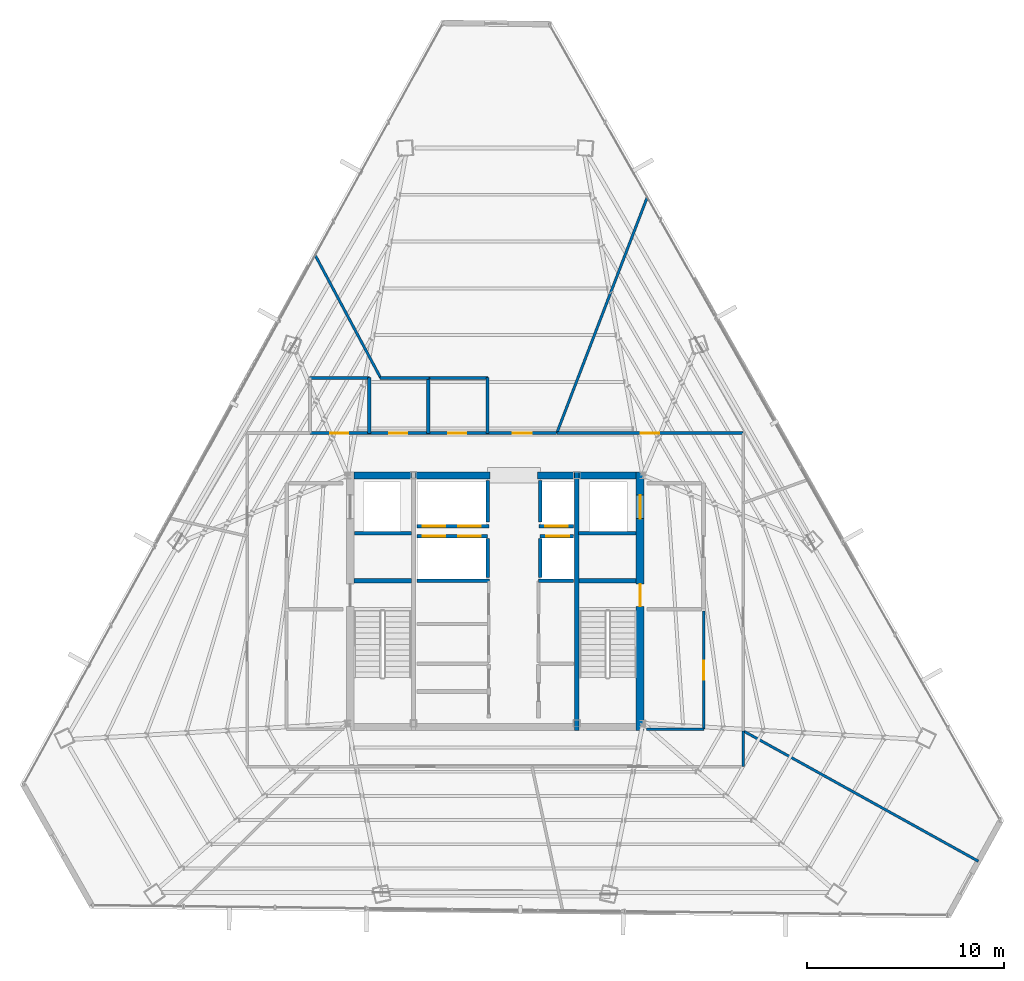
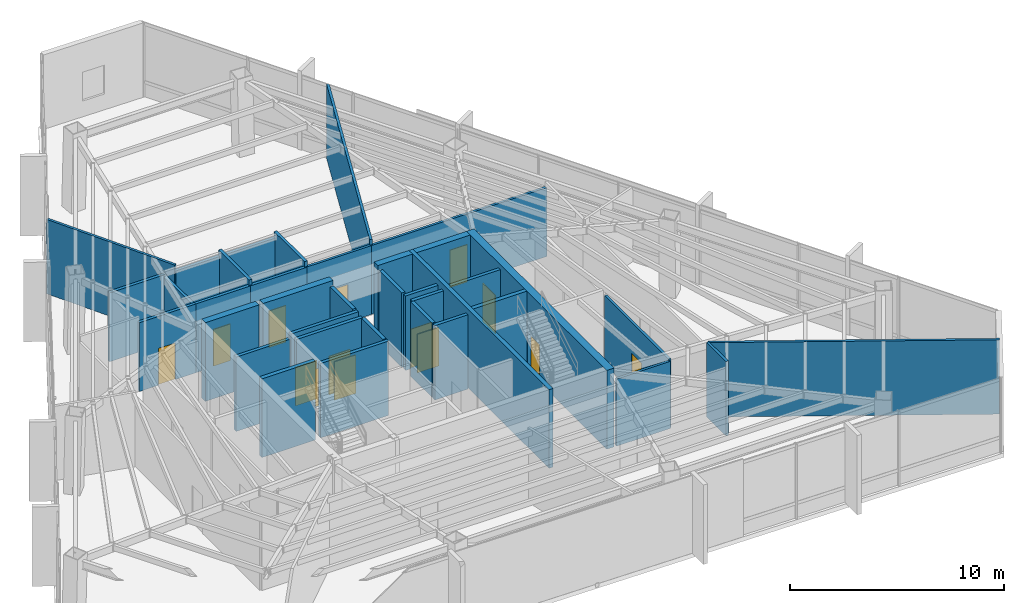
# One storey, part 34 of 37: 37 walls, 14 doors, 14 openings.
"""IFC4 building model written with IfcOpenShell, lengths in metres."""

from ifc_helpers import new_model, si_unit, direction, frame, frame_2d, origin, place, context, subcontext, project, spatial, rectangle, extrude, material, layer, layer_set, type_object, element, fill, save


model = new_model("IFC4")

# Units and contexts
model_context = context("Model", 3, precision=1e-05, world=origin(), true_north=direction((0.0, 1.0)))
body_context = subcontext(model_context, "Body", "Model", "MODEL_VIEW")
ifc_project = project(units=[si_unit("LENGTHUNIT", "METRE"), si_unit("AREAUNIT", "SQUARE_METRE"), si_unit("VOLUMEUNIT", "CUBIC_METRE"), si_unit("PLANEANGLEUNIT", "RADIAN"), si_unit("MASSUNIT", "GRAM", prefix="KILO")], contexts=[model_context])

# Site, building, storey
site_placement = place(None, origin())
site = spatial("IfcSite", under=ifc_project, at=site_placement, CompositionType="ELEMENT")
building_placement = place(site_placement, origin())
building = spatial("IfcBuilding", under=site, at=building_placement, Name="Caelisora Broadcast Tower", CompositionType="ELEMENT")
storey_placement = place(building_placement, frame((0.0, 0.0, 225.35009765625)))
storey = spatial("IfcBuildingStorey", under=building, at=storey_placement, Name="L59", CompositionType="ELEMENT", Elevation=225.35009765625)

# Wall, openings, doors
ifc_material_1 = material(Name="Concrete 40 MPa (AS 3600 N40)", Category="concrete")
ifc_layer_1 = layer(ifc_material_1, 0.39990234375, Name="Concrete 40 MPa (AS 3600 N40)")
ifc_layer_set_1 = layer_set([ifc_layer_1], Name="Concrete 40 MPa (AS 3600 N40)")
wall_type_1 = type_object("IfcWallType", Name="CW3", PredefinedType="SHEAR", material=ifc_layer_set_1)
wall_1_placement = place(storey_placement, frame((45.360107421875, 17.050048828125, 0.0), z_axis=(0.0, 0.0, 1.0), x_axis=(0.0, 1.0, 0.0)))
wall_1 = element("IfcWall", 1, at=wall_1_placement, inside=storey, type_object=wall_type_1, Name="L59 core shear wall CW3", PredefinedType="SHEAR", context=body_context, shape_type="SweptSolid", body=[
    extrude(rectangle(XDim=13.125, YDim=0.39990234375, at=frame_2d((6.5625, 0.0))), origin(), (0.0, 0.0, 1.0), 4.5),
])
opening_1_placement = place(wall_1_placement, frame((6.300048828125, 0.0, 0.0)))
opening_1 = element("IfcOpeningElement", 2, at=opening_1_placement, cuts=wall_1, Name="Opening FD04", PredefinedType="OPENING", context=body_context, shape_type="SweptSolid", body=[
    extrude(rectangle(XDim=1.1201171875, YDim=2.14990234375, at=frame_2d((0.56005859375, 1.074951171875))), frame((0.0, 0.2119140625, 0.0), z_axis=(0.0, -1.0, 0.0), x_axis=(1.0, 0.0, 0.0)), (0.0, 0.0, 1.0), 0.423828125),
])
opening_2_placement = place(wall_1_placement, frame((10.75, 0.0, 0.0)))
opening_2 = element("IfcOpeningElement", 3, at=opening_2_placement, cuts=wall_1, Name="Opening LD04", PredefinedType="OPENING", context=body_context, shape_type="SweptSolid", body=[
    extrude(rectangle(XDim=1.199951171875, YDim=2.199951171875, at=frame_2d((0.60009765625, 1.10009765625))), frame((0.0, 0.2119140625, 0.0), z_axis=(0.0, -1.0, 0.0), x_axis=(1.0, 0.0, 0.0)), (0.0, 0.0, 1.0), 0.423828125),
])
ifc_material_2 = material(Name="Pressurised Fire-Isolated Stair Door", Category="steel")
door_type_1 = type_object("IfcDoorType", Name="FD04", OperationType="NOTDEFINED", PredefinedType="DOOR", material=ifc_material_2)
door_1_placement = place(opening_1_placement, origin())
door_1 = element("IfcDoor", 4, at=door_1_placement, inside=storey, type_object=door_type_1, Name="L59 door FD04 (L59-DR-ST2)", OperationType="SINGLE_SWING_RIGHT", OverallHeight=2.14990234375, OverallWidth=1.1201171875, PredefinedType="DOOR", context=body_context, shape_type="SweptSolid", body=[
    extrude(rectangle(XDim=1.1201171875, YDim=2.14990234375, at=frame_2d((0.56005859375, 1.074951171875))), frame((0.0, 0.02490234375, 0.0), z_axis=(0.0, -1.0, 0.0), x_axis=(1.0, 0.0, 0.0)), (0.0, 0.0, 1.0), 0.050048828125),
])
fill(opening_1, door_1)
ifc_material_3 = material(Name="Emergency Firefighting Lift Sliding Landing Door", Category="steel")
door_type_2 = type_object("IfcDoorType", Name="LD04", OperationType="NOTDEFINED", PredefinedType="DOOR", material=ifc_material_3)
door_2_placement = place(opening_2_placement, origin())
door_2 = element("IfcDoor", 5, at=door_2_placement, inside=storey, type_object=door_type_2, Name="L59 door LD04 (L59-LD-FFL2)", OperationType="SLIDING_TO_RIGHT", OverallHeight=2.199951171875, OverallWidth=1.199951171875, PredefinedType="DOOR", context=body_context, shape_type="SweptSolid", body=[
    extrude(rectangle(XDim=1.199951171875, YDim=2.199951171875, at=frame_2d((0.60009765625, 1.10009765625))), frame((0.0, 0.02490234375, 0.0), z_axis=(0.0, -1.0, 0.0), x_axis=(1.0, 0.0, 0.0)), (0.0, 0.0, 1.0), 0.050048828125),
])
fill(opening_2, door_2)

# Walls
ifc_layer_2 = layer(ifc_material_1, 0.35009765625, Name="Concrete 40 MPa (AS 3600 N40)")
ifc_layer_set_2 = layer_set([ifc_layer_2], Name="Concrete 40 MPa (AS 3600 N40)")
wall_type_2 = type_object("IfcWallType", Name="CW6", PredefinedType="SHEAR", material=ifc_layer_set_2)
wall_2_placement = place(storey_placement, frame((30.840087890625, 30.0, 0.0), z_axis=(0.0, 0.0, 1.0), x_axis=(1.0, 0.0, 0.0)))
element("IfcWall", 6, at=wall_2_placement, inside=storey, type_object=wall_type_2, Name="L59 core shear wall CW6", PredefinedType="SHEAR", context=body_context, shape_type="SweptSolid", body=[
    extrude(rectangle(XDim=2.89990234375, YDim=0.35009765625, at=frame_2d((1.449951171875, 0.0))), origin(), (0.0, 0.0, 1.0), 4.5),
])
wall_3_placement = place(storey_placement, frame((33.9599609375, 30.0, 0.0), z_axis=(0.0, 0.0, 1.0), x_axis=(1.0, 0.0, 0.0)))
element("IfcWall", 7, at=wall_3_placement, inside=storey, type_object=wall_type_2, Name="L59 core shear wall CW6", PredefinedType="SHEAR", context=body_context, shape_type="SweptSolid", body=[
    extrude(rectangle(XDim=3.780029296875, YDim=0.35009765625, at=frame_2d((1.89013671875, 0.0))), origin(), (0.0, 0.0, 1.0), 4.5),
])
wall_4_placement = place(storey_placement, frame((40.159912109375, 30.0, 0.0), z_axis=(0.0, 0.0, 1.0), x_axis=(1.0, 0.0, 0.0)))
element("IfcWall", 8, at=wall_4_placement, inside=storey, type_object=wall_type_2, Name="L59 core shear wall CW6", PredefinedType="SHEAR", context=body_context, shape_type="SweptSolid", body=[
    extrude(rectangle(XDim=1.880126953125, YDim=0.35009765625, at=frame_2d((0.93994140625, 0.0))), origin(), (0.0, 0.0, 1.0), 4.5),
])
wall_5_placement = place(storey_placement, frame((42.260009765625, 30.0, 0.0), z_axis=(0.0, 0.0, 1.0), x_axis=(1.0, 0.0, 0.0)))
element("IfcWall", 9, at=wall_5_placement, inside=storey, type_object=wall_type_2, Name="L59 core shear wall CW6", PredefinedType="SHEAR", context=body_context, shape_type="SweptSolid", body=[
    extrude(rectangle(XDim=2.89990234375, YDim=0.35009765625, at=frame_2d((1.449951171875, 0.0))), origin(), (0.0, 0.0, 1.0), 4.5),
])
ifc_material_4 = material(Name="Concrete 50 MPa (AS 3600 S50)", Category="concrete")
ifc_layer_3 = layer(ifc_material_4, 0.219970703125, Name="Concrete 50 MPa (AS 3600 S50)")
ifc_layer_set_3 = layer_set([ifc_layer_3], Name="Concrete 50 MPa (AS 3600 S50)")
wall_type_3 = type_object("IfcWallType", Name="CW7", PredefinedType="SHEAR", material=ifc_layer_set_3)
wall_6_placement = place(storey_placement, frame((42.14990234375, 17.050048828125, 0.0), z_axis=(0.0, 0.0, 1.0), x_axis=(0.0, 1.0, 0.0)))
element("IfcWall", 10, at=wall_6_placement, inside=storey, type_object=wall_type_3, Name="L59 core shear wall CW7", PredefinedType="SHEAR", context=body_context, shape_type="SweptSolid", body=[
    extrude(rectangle(XDim=13.125, YDim=0.219970703125, at=frame_2d((6.5625, 0.0))), origin(), (0.0, 0.0, 1.0), 4.5),
])
for number, where, z_axis, x_axis, name in (
    (11, (30.840087890625, 24.639892578125, 0.0), (0.0, 0.0, 1.0), (1.0, 0.0, 0.0), "L59 core shear wall CW7"),
    (12, (42.260009765625, 24.639892578125, 0.0), (0.0, 0.0, 1.0), (1.0, 0.0, 0.0), "L59 core shear wall CW7"),
):
    element("IfcWall", number, at=place(storey_placement, frame(where, z_axis=z_axis, x_axis=x_axis)), inside=storey, type_object=wall_type_3, Name=name, PredefinedType="SHEAR", context=body_context, shape_type="SweptSolid", body=[
        extrude(rectangle(XDim=2.89990234375, YDim=0.219970703125, at=frame_2d((1.449951171875, 0.0))), origin(), (0.0, 0.0, 1.0), 4.5),
    ])

# Wall, openings, doors
ifc_material_5 = material(Name="Fire-Rated Gypsum Shaft and Compartment Wall", Category="gypsum")
ifc_layer_4 = layer(ifc_material_5, 0.179931640625, Name="Fire-Rated Gypsum Shaft and Compartment Wall")
ifc_layer_set_4 = layer_set([ifc_layer_4], Name="Fire-Rated Gypsum Shaft and Compartment Wall")
wall_type_4 = type_object("IfcWallType", Name="PW2", PredefinedType="PARTITIONING", material=ifc_layer_set_4)
wall_7_placement = place(storey_placement, frame((34.02001953125, 26.89990234375, 0.0), z_axis=(0.0, 0.0, 1.0), x_axis=(1.0, 0.0, 0.0)))
wall_7 = element("IfcWall", 13, at=wall_7_placement, inside=storey, type_object=wall_type_4, Name="L59 fire compartment wall PW2", PredefinedType="PARTITIONING", context=body_context, shape_type="SweptSolid", body=[
    extrude(rectangle(XDim=3.60009765625, YDim=0.179931640625, at=frame_2d((1.800048828125, 0.0))), origin(), (0.0, 0.0, 1.0), 4.25),
])
opening_3_placement = place(wall_7_placement, frame((0.300048828125, 0.0, 0.0)))
opening_3 = element("IfcOpeningElement", 14, at=opening_3_placement, cuts=wall_7, Name="Opening LD02", PredefinedType="OPENING", context=body_context, shape_type="SweptSolid", body=[
    extrude(rectangle(XDim=1.14990234375, YDim=2.199951171875, at=frame_2d((0.574951171875, 1.10009765625))), frame((0.0, 0.10205078125, 0.0), z_axis=(0.0, -1.0, 0.0), x_axis=(1.0, 0.0, 0.0)), (0.0, 0.0, 1.0), 0.203857421875),
])
opening_4_placement = place(wall_7_placement, frame((2.10009765625, 0.0, 0.0)))
opening_4 = element("IfcOpeningElement", 15, at=opening_4_placement, cuts=wall_7, Name="Opening LD02", PredefinedType="OPENING", context=body_context, shape_type="SweptSolid", body=[
    extrude(rectangle(XDim=1.14990234375, YDim=2.199951171875, at=frame_2d((0.574951171875, 1.10009765625))), frame((0.0, 0.10205078125, 0.0), z_axis=(0.0, -1.0, 0.0), x_axis=(1.0, 0.0, 0.0)), (0.0, 0.0, 1.0), 0.203857421875),
])
ifc_material_6 = material(Name="High-Speed Express Lift Sliding Landing Door", Category="steel")
door_type_3 = type_object("IfcDoorType", Name="LD02", OperationType="NOTDEFINED", PredefinedType="DOOR", material=ifc_material_6)
door_3_placement = place(opening_3_placement, origin())
door_3 = element("IfcDoor", 16, at=door_3_placement, inside=storey, type_object=door_type_3, Name="L59 door LD02 (L59-LD-PLM1)", OperationType="SLIDING_TO_LEFT", OverallHeight=2.199951171875, OverallWidth=1.14990234375, PredefinedType="DOOR", context=body_context, shape_type="SweptSolid", body=[
    extrude(rectangle(XDim=1.14990234375, YDim=2.199951171875, at=frame_2d((0.574951171875, 1.10009765625))), frame((0.0, 0.02490234375, 0.0), z_axis=(0.0, -1.0, 0.0), x_axis=(1.0, 0.0, 0.0)), (0.0, 0.0, 1.0), 0.050048828125),
])
fill(opening_3, door_3)
door_4_placement = place(opening_4_placement, origin())
door_4 = element("IfcDoor", 17, at=door_4_placement, inside=storey, type_object=door_type_3, Name="L59 door LD02 (L59-LD-PLM2)", OperationType="SLIDING_TO_RIGHT", OverallHeight=2.199951171875, OverallWidth=1.14990234375, PredefinedType="DOOR", context=body_context, shape_type="SweptSolid", body=[
    extrude(rectangle(XDim=1.14990234375, YDim=2.199951171875, at=frame_2d((0.574951171875, 1.10009765625))), frame((0.0, 0.02490234375, 0.0), z_axis=(0.0, -1.0, 0.0), x_axis=(1.0, 0.0, 0.0)), (0.0, 0.0, 1.0), 0.050048828125),
])
fill(opening_4, door_4)

# Wall, opening, door
wall_8_placement = place(storey_placement, frame((40.280029296875, 26.89990234375, 0.0), z_axis=(0.0, 0.0, 1.0), x_axis=(1.0, 0.0, 0.0)))
wall_8 = element("IfcWall", 18, at=wall_8_placement, inside=storey, type_object=wall_type_4, Name="L59 fire compartment wall PW2", PredefinedType="PARTITIONING", context=body_context, shape_type="SweptSolid", body=[
    extrude(rectangle(XDim=1.699951171875, YDim=0.179931640625, at=frame_2d((0.85009765625, 0.0))), origin(), (0.0, 0.0, 1.0), 4.25),
])
opening_5_placement = place(wall_8_placement, frame((0.320068359375, 0.0, 0.0)))
opening_5 = element("IfcOpeningElement", 19, at=opening_5_placement, cuts=wall_8, Name="Opening LD02", PredefinedType="OPENING", context=body_context, shape_type="SweptSolid", body=[
    extrude(rectangle(XDim=1.14990234375, YDim=2.199951171875, at=frame_2d((0.574951171875, 1.10009765625))), frame((0.0, 0.10205078125, 0.0), z_axis=(0.0, -1.0, 0.0), x_axis=(1.0, 0.0, 0.0)), (0.0, 0.0, 1.0), 0.203857421875),
])
door_5_placement = place(opening_5_placement, origin())
door_5 = element("IfcDoor", 20, at=door_5_placement, inside=storey, type_object=door_type_3, Name="L59 door LD02 (L59-LD-PLM3)", OperationType="SLIDING_TO_LEFT", OverallHeight=2.199951171875, OverallWidth=1.14990234375, PredefinedType="DOOR", context=body_context, shape_type="SweptSolid", body=[
    extrude(rectangle(XDim=1.14990234375, YDim=2.199951171875, at=frame_2d((0.574951171875, 1.10009765625))), frame((0.0, 0.02490234375, 0.0), z_axis=(0.0, -1.0, 0.0), x_axis=(1.0, 0.0, 0.0)), (0.0, 0.0, 1.0), 0.050048828125),
])
fill(opening_5, door_5)

# Walls
for number, where, z_axis, x_axis, name in (
    (21, (37.6201171875, 24.800048828125, 0.0), (0.0, 0.0, 1.0), (0.0, 1.0, 0.0), "L59 fire compartment wall PW2"),
    (22, (40.280029296875, 24.800048828125, 0.0), (0.0, 0.0, 1.0), (0.0, 1.0, 0.0), "L59 fire compartment wall PW2"),
):
    element("IfcWall", number, at=place(storey_placement, frame(where, z_axis=z_axis, x_axis=x_axis)), inside=storey, type_object=wall_type_4, Name=name, PredefinedType="PARTITIONING", context=body_context, shape_type="SweptSolid", body=[
        extrude(rectangle(XDim=2.0, YDim=0.179931640625, at=frame_2d((1.0, 0.0))), origin(), (0.0, 0.0, 1.0), 4.25),
    ])
wall_9_placement = place(storey_placement, frame((34.02001953125, 24.639892578125, 0.0), z_axis=(0.0, 0.0, 1.0), x_axis=(1.0, 0.0, 0.0)))
element("IfcWall", 23, at=wall_9_placement, inside=storey, type_object=wall_type_4, Name="L59 fire compartment wall PW2", PredefinedType="PARTITIONING", context=body_context, shape_type="SweptSolid", body=[
    extrude(rectangle(XDim=3.679931640625, YDim=0.179931640625, at=frame_2d((1.83984375, 0.0))), origin(), (0.0, 0.0, 1.0), 4.25),
])
wall_10_placement = place(storey_placement, frame((40.199951171875, 24.639892578125, 0.0), z_axis=(0.0, 0.0, 1.0), x_axis=(1.0, 0.0, 0.0)))
element("IfcWall", 24, at=wall_10_placement, inside=storey, type_object=wall_type_4, Name="L59 fire compartment wall PW2", PredefinedType="PARTITIONING", context=body_context, shape_type="SweptSolid", body=[
    extrude(rectangle(XDim=1.780029296875, YDim=0.179931640625, at=frame_2d((0.89013671875, 0.0))), origin(), (0.0, 0.0, 1.0), 4.25),
])

# Wall, openings, doors
wall_11_placement = place(storey_placement, frame((34.02001953125, 27.419921875, 0.0), z_axis=(0.0, 0.0, 1.0), x_axis=(1.0, 0.0, 0.0)))
wall_11 = element("IfcWall", 25, at=wall_11_placement, inside=storey, type_object=wall_type_4, Name="L59 fire compartment wall PW2", PredefinedType="PARTITIONING", context=body_context, shape_type="SweptSolid", body=[
    extrude(rectangle(XDim=3.659912109375, YDim=0.179931640625, at=frame_2d((1.830078125, 0.0))), origin(), (0.0, 0.0, 1.0), 4.25),
])
opening_6_placement = place(wall_11_placement, frame((0.300048828125, 0.0, 0.0)))
opening_6 = element("IfcOpeningElement", 26, at=opening_6_placement, cuts=wall_11, Name="Opening LD02", PredefinedType="OPENING", context=body_context, shape_type="SweptSolid", body=[
    extrude(rectangle(XDim=1.14990234375, YDim=2.199951171875, at=frame_2d((0.574951171875, 1.10009765625))), frame((0.0, 0.10205078125, 0.0), z_axis=(0.0, -1.0, 0.0), x_axis=(1.0, 0.0, 0.0)), (0.0, 0.0, 1.0), 0.203857421875),
])
opening_7_placement = place(wall_11_placement, frame((2.10009765625, 0.0, 0.0)))
opening_7 = element("IfcOpeningElement", 27, at=opening_7_placement, cuts=wall_11, Name="Opening LD02", PredefinedType="OPENING", context=body_context, shape_type="SweptSolid", body=[
    extrude(rectangle(XDim=1.14990234375, YDim=2.199951171875, at=frame_2d((0.574951171875, 1.10009765625))), frame((0.0, 0.10205078125, 0.0), z_axis=(0.0, -1.0, 0.0), x_axis=(1.0, 0.0, 0.0)), (0.0, 0.0, 1.0), 0.203857421875),
])
door_6_placement = place(opening_6_placement, origin())
door_6 = element("IfcDoor", 28, at=door_6_placement, inside=storey, type_object=door_type_3, Name="L59 door LD02 (L59-LD-PLH1)", OperationType="SLIDING_TO_RIGHT", OverallHeight=2.199951171875, OverallWidth=1.14990234375, PredefinedType="DOOR", context=body_context, shape_type="SweptSolid", body=[
    extrude(rectangle(XDim=1.14990234375, YDim=2.199951171875, at=frame_2d((0.574951171875, 1.10009765625))), frame((0.0, 0.02490234375, 0.0), z_axis=(0.0, -1.0, 0.0), x_axis=(1.0, 0.0, 0.0)), (0.0, 0.0, 1.0), 0.050048828125),
])
fill(opening_6, door_6)
door_7_placement = place(opening_7_placement, origin())
door_7 = element("IfcDoor", 29, at=door_7_placement, inside=storey, type_object=door_type_3, Name="L59 door LD02 (L59-LD-PLH2)", OperationType="SLIDING_TO_LEFT", OverallHeight=2.199951171875, OverallWidth=1.14990234375, PredefinedType="DOOR", context=body_context, shape_type="SweptSolid", body=[
    extrude(rectangle(XDim=1.14990234375, YDim=2.199951171875, at=frame_2d((0.574951171875, 1.10009765625))), frame((0.0, 0.02490234375, 0.0), z_axis=(0.0, -1.0, 0.0), x_axis=(1.0, 0.0, 0.0)), (0.0, 0.0, 1.0), 0.050048828125),
])
fill(opening_7, door_7)

# Wall, opening, door
wall_12_placement = place(storey_placement, frame((40.219970703125, 27.419921875, 0.0), z_axis=(0.0, 0.0, 1.0), x_axis=(1.0, 0.0, 0.0)))
wall_12 = element("IfcWall", 30, at=wall_12_placement, inside=storey, type_object=wall_type_4, Name="L59 fire compartment wall PW2", PredefinedType="PARTITIONING", context=body_context, shape_type="SweptSolid", body=[
    extrude(rectangle(XDim=1.760009765625, YDim=0.179931640625, at=frame_2d((0.8798828125, 0.0))), origin(), (0.0, 0.0, 1.0), 4.25),
])
opening_8_placement = place(wall_12_placement, frame((0.320068359375, 0.0, 0.0)))
opening_8 = element("IfcOpeningElement", 31, at=opening_8_placement, cuts=wall_12, Name="Opening LD02", PredefinedType="OPENING", context=body_context, shape_type="SweptSolid", body=[
    extrude(rectangle(XDim=1.14990234375, YDim=2.199951171875, at=frame_2d((0.574951171875, 1.10009765625))), frame((0.0, 0.10205078125, 0.0), z_axis=(0.0, -1.0, 0.0), x_axis=(1.0, 0.0, 0.0)), (0.0, 0.0, 1.0), 0.203857421875),
])
door_8_placement = place(opening_8_placement, origin())
door_8 = element("IfcDoor", 32, at=door_8_placement, inside=storey, type_object=door_type_3, Name="L59 door LD02 (L59-LD-PLH3)", OperationType="SLIDING_TO_RIGHT", OverallHeight=2.199951171875, OverallWidth=1.14990234375, PredefinedType="DOOR", context=body_context, shape_type="SweptSolid", body=[
    extrude(rectangle(XDim=1.14990234375, YDim=2.199951171875, at=frame_2d((0.574951171875, 1.10009765625))), frame((0.0, 0.02490234375, 0.0), z_axis=(0.0, -1.0, 0.0), x_axis=(1.0, 0.0, 0.0)), (0.0, 0.0, 1.0), 0.050048828125),
])
fill(opening_8, door_8)

# Walls
for number, where, z_axis, x_axis, name in (
    (33, (37.6201171875, 27.639892578125, 0.0), (0.0, 0.0, 1.0), (0.0, 1.0, 0.0), "L59 fire compartment wall PW2"),
    (34, (40.280029296875, 27.639892578125, 0.0), (0.0, 0.0, 1.0), (0.0, 1.0, 0.0), "L59 fire compartment wall PW2"),
):
    element("IfcWall", number, at=place(storey_placement, frame(where, z_axis=z_axis, x_axis=x_axis)), inside=storey, type_object=wall_type_4, Name=name, PredefinedType="PARTITIONING", context=body_context, shape_type="SweptSolid", body=[
        extrude(rectangle(XDim=2.110107421875, YDim=0.179931640625, at=frame_2d((1.05517578125, 0.0))), origin(), (0.0, 0.0, 1.0), 4.25),
    ])
for number, where, z_axis, x_axis, name in (
    (35, (30.860107421875, 27.070068359375, 0.0), (0.0, 0.0, 1.0), (1.0, 0.0, 0.0), "L59 fire compartment wall PW2"),
    (36, (42.239990234375, 27.070068359375, 0.0), (0.0, 0.0, 1.0), (1.0, 0.0, 0.0), "L59 fire compartment wall PW2"),
):
    element("IfcWall", number, at=place(storey_placement, frame(where, z_axis=z_axis, x_axis=x_axis)), inside=storey, type_object=wall_type_4, Name=name, PredefinedType="PARTITIONING", context=body_context, shape_type="SweptSolid", body=[
        extrude(rectangle(XDim=2.89990234375, YDim=0.179931640625, at=frame_2d((1.449951171875, 0.0))), origin(), (0.0, 0.0, 1.0), 4.25),
    ])
ifc_material_7 = material(Name="Acoustic Steel-Stud Plasterboard Partition", Category="gypsum")
ifc_layer_5 = layer(ifc_material_7, 0.1298828125, Name="Acoustic Steel-Stud Plasterboard Partition")
ifc_layer_set_5 = layer_set([ifc_layer_5], Name="Acoustic Steel-Stud Plasterboard Partition")
wall_type_5 = type_object("IfcWallType", Name="PW3", PredefinedType="PARTITIONING", material=ifc_layer_set_5)
wall_13_placement = place(storey_placement, frame((50.60400390625, 17.01806640625, 0.0), z_axis=(0.0, 0.0, 1.0), x_axis=(0.874559257383, -0.484918658463, 0.0)))
element("IfcWall", 37, at=wall_13_placement, inside=storey, type_object=wall_type_5, Name="L59 internal partition PW3", PredefinedType="PARTITIONING", context=body_context, shape_type="SweptSolid", body=[
    extrude(rectangle(XDim=13.655029296875, YDim=0.1298828125, at=frame_2d((6.82763671875, 0.0))), origin(), (0.0, 0.0, 1.0), 4.25),
])
wall_14_placement = place(storey_placement, frame((41.132080078125, 32.155029296875, 0.0), z_axis=(0.0, 0.0, 1.0), x_axis=(0.358043509802, 0.933704902573, 0.0)))
element("IfcWall", 38, at=wall_14_placement, inside=storey, type_object=wall_type_5, Name="L59 internal partition PW3", PredefinedType="PARTITIONING", context=body_context, shape_type="SweptSolid", body=[
    extrude(rectangle(XDim=12.837646484375, YDim=0.1298828125, at=frame_2d((6.4189453125, 0.0))), origin(), (0.0, 0.0, 1.0), 4.25),
])

# Wall, opening, door
wall_15_placement = place(storey_placement, frame((50.594970703125, 32.14990234375, 0.0), z_axis=(0.0, 0.0, 1.0), x_axis=(-1.0, 0.0, 0.0)))
wall_15 = element("IfcWall", 39, at=wall_15_placement, inside=storey, type_object=wall_type_5, Name="L59 internal partition PW3", PredefinedType="PARTITIONING", context=body_context, shape_type="SweptSolid", body=[
    extrude(rectangle(XDim=9.4599609375, YDim=0.1298828125, at=frame_2d((4.72998046875, 0.0))), origin(), (0.0, 0.0, 1.0), 3.934814453125),
])
opening_9_placement = place(wall_15_placement, frame((4.25, 0.0, 0.0)))
opening_9 = element("IfcOpeningElement", 40, at=opening_9_placement, cuts=wall_15, Name="Opening D01", PredefinedType="OPENING", context=body_context, shape_type="SweptSolid", body=[
    extrude(rectangle(XDim=0.9599609375, YDim=2.14990234375, at=frame_2d((0.47998046875, 1.074951171875))), frame((0.0, 0.076904296875, 0.0), z_axis=(0.0, -1.0, 0.0), x_axis=(1.0, 0.0, 0.0)), (0.0, 0.0, 1.0), 0.15380859375),
])
ifc_material_8 = material(Name="Solid-Core Timber Acoustic Office Door", Category="wood")
door_type_4 = type_object("IfcDoorType", Name="D01", OperationType="NOTDEFINED", PredefinedType="DOOR", material=ifc_material_8)
door_9_placement = place(opening_9_placement, origin())
door_9 = element("IfcDoor", 41, at=door_9_placement, inside=storey, type_object=door_type_4, Name="L59 door D01 (L59-DR-P36D1)", OperationType="SINGLE_SWING_RIGHT", OverallHeight=2.14990234375, OverallWidth=0.9599609375, PredefinedType="DOOR", context=body_context, shape_type="SweptSolid", body=[
    extrude(rectangle(XDim=0.9599609375, YDim=2.14990234375, at=frame_2d((0.47998046875, 1.074951171875))), frame((0.0, 0.02490234375, 0.0), z_axis=(0.0, -1.0, 0.0), x_axis=(1.0, 0.0, 0.0)), (0.0, 0.0, 1.0), 0.050048828125),
])
fill(opening_9, door_9)

# Wall
wall_16_placement = place(storey_placement, frame((28.8544921875, 41.187744140625, 0.0), z_axis=(0.0, 0.0, 1.0), x_axis=(0.470464460638, -0.882418943177, 0.0)))
element("IfcWall", 42, at=wall_16_placement, inside=storey, type_object=wall_type_5, Name="L59 internal partition PW3", PredefinedType="PARTITIONING", context=body_context, shape_type="SweptSolid", body=[
    extrude(rectangle(XDim=7.064208984375, YDim=0.1298828125, at=frame_2d((3.5322265625, 0.0))), origin(), (0.0, 0.0, 1.0), 4.25),
])

# Wall, opening, door
wall_17_placement = place(storey_placement, frame((48.60009765625, 17.10498046875, 0.0), z_axis=(0.0, 0.0, 1.0), x_axis=(0.0, 1.0, 0.0)))
wall_17 = element("IfcWall", 43, at=wall_17_placement, inside=storey, type_object=wall_type_5, Name="L59 internal partition PW3", PredefinedType="PARTITIONING", context=body_context, shape_type="SweptSolid", body=[
    extrude(rectangle(XDim=6.0, YDim=0.1298828125, at=frame_2d((3.0, 0.0))), origin(), (0.0, 0.0, 1.0), 3.934814453125),
])
opening_10_placement = place(wall_17_placement, frame((2.52001953125, 0.0, 0.0)))
opening_10 = element("IfcOpeningElement", 44, at=opening_10_placement, cuts=wall_17, Name="Opening D01", PredefinedType="OPENING", context=body_context, shape_type="SweptSolid", body=[
    extrude(rectangle(XDim=0.9599609375, YDim=2.14990234375, at=frame_2d((0.47998046875, 1.074951171875))), frame((0.0, 0.076904296875, 0.0), z_axis=(0.0, -1.0, 0.0), x_axis=(1.0, 0.0, 0.0)), (0.0, 0.0, 1.0), 0.15380859375),
])
door_10_placement = place(opening_10_placement, origin())
door_10 = element("IfcDoor", 45, at=door_10_placement, inside=storey, type_object=door_type_4, Name="L59 door D01 (L59-DR-P41D1)", OperationType="SINGLE_SWING_RIGHT", OverallHeight=2.14990234375, OverallWidth=0.9599609375, PredefinedType="DOOR", context=body_context, shape_type="SweptSolid", body=[
    extrude(rectangle(XDim=0.9599609375, YDim=2.14990234375, at=frame_2d((0.47998046875, 1.074951171875))), frame((0.0, 0.02490234375, 0.0), z_axis=(0.0, -1.0, 0.0), x_axis=(1.0, 0.0, 0.0)), (0.0, 0.0, 1.0), 0.050048828125),
])
fill(opening_10, door_10)

wall_18_placement = place(storey_placement, frame((37.60498046875, 32.14990234375, 0.0), z_axis=(0.0, 0.0, 1.0), x_axis=(1.0, 0.0, 0.0)))
wall_18 = element("IfcWall", 46, at=wall_18_placement, inside=storey, type_object=wall_type_5, Name="L59 internal partition PW3", PredefinedType="PARTITIONING", context=body_context, shape_type="SweptSolid", body=[
    extrude(rectangle(XDim=3.52001953125, YDim=0.1298828125, at=frame_2d((1.760009765625, 0.0))), origin(), (0.0, 0.0, 1.0), 3.934814453125),
])
opening_11_placement = place(wall_18_placement, frame((1.280029296875, 0.0, 0.0)))
opening_11 = element("IfcOpeningElement", 47, at=opening_11_placement, cuts=wall_18, Name="Opening D01", PredefinedType="OPENING", context=body_context, shape_type="SweptSolid", body=[
    extrude(rectangle(XDim=0.9599609375, YDim=2.14990234375, at=frame_2d((0.47998046875, 1.074951171875))), frame((0.0, 0.076904296875, 0.0), z_axis=(0.0, -1.0, 0.0), x_axis=(1.0, 0.0, 0.0)), (0.0, 0.0, 1.0), 0.15380859375),
])
door_11_placement = place(opening_11_placement, origin())
door_11 = element("IfcDoor", 48, at=door_11_placement, inside=storey, type_object=door_type_4, Name="L59 door D01 (L59-DR-P47D1)", OperationType="SINGLE_SWING_RIGHT", OverallHeight=2.14990234375, OverallWidth=0.9599609375, PredefinedType="DOOR", context=body_context, shape_type="SweptSolid", body=[
    extrude(rectangle(XDim=0.9599609375, YDim=2.14990234375, at=frame_2d((0.47998046875, 1.074951171875))), frame((0.0, 0.02490234375, 0.0), z_axis=(0.0, -1.0, 0.0), x_axis=(1.0, 0.0, 0.0)), (0.0, 0.0, 1.0), 0.050048828125),
])
fill(opening_11, door_11)

# Walls
wall_19_placement = place(storey_placement, frame((45.675048828125, 17.10009765625, 0.0), z_axis=(0.0, 0.0, 1.0), x_axis=(1.0, 0.0, 0.0)))
element("IfcWall", 49, at=wall_19_placement, inside=storey, type_object=wall_type_5, Name="L59 internal partition PW3", PredefinedType="PARTITIONING", context=body_context, shape_type="SweptSolid", body=[
    extrude(rectangle(XDim=2.919921875, YDim=0.1298828125, at=frame_2d((1.4599609375, 0.0))), origin(), (0.0, 0.0, 1.0), 3.8349609375),
])
wall_20_placement = place(storey_placement, frame((50.60009765625, 15.205078125, 0.0), z_axis=(0.0, 0.0, 1.0), x_axis=(0.0, 1.0, 0.0)))
element("IfcWall", 50, at=wall_20_placement, inside=storey, type_object=wall_type_5, Name="L59 internal partition PW3", PredefinedType="PARTITIONING", context=body_context, shape_type="SweptSolid", body=[
    extrude(rectangle(XDim=1.809814453125, YDim=0.1298828125, at=frame_2d((0.90478515625, 0.0))), origin(), (0.0, 0.0, 1.0), 4.25),
])

# Wall, opening, door
ifc_material_9 = material(Name="Moisture-Resistant Wet Plumbing Service Wall", Category="gypsum")
ifc_layer_6 = layer(ifc_material_9, 0.159912109375, Name="Moisture-Resistant Wet Plumbing Service Wall")
ifc_layer_set_6 = layer_set([ifc_layer_6], Name="Moisture-Resistant Wet Plumbing Service Wall")
wall_type_6 = type_object("IfcWallType", Name="PW4", PredefinedType="PLUMBINGWALL", material=ifc_layer_set_6)
wall_21_placement = place(storey_placement, frame((28.574951171875, 32.14990234375, 0.0), z_axis=(0.0, 0.0, 1.0), x_axis=(1.0, 0.0, 0.0)))
wall_21 = element("IfcWall", 51, at=wall_21_placement, inside=storey, type_object=wall_type_6, Name="L59 wet plumbing wall PW4", PredefinedType="PLUMBINGWALL", context=body_context, shape_type="SweptSolid", body=[
    extrude(rectangle(XDim=3.050048828125, YDim=0.159912109375, at=frame_2d((1.52490234375, 0.0))), origin(), (0.0, 0.0, 1.0), 3.934814453125),
])
opening_12_placement = place(wall_21_placement, frame((1.034912109375, 0.0, 0.0)))
opening_12 = element("IfcOpeningElement", 52, at=opening_12_placement, cuts=wall_21, Name="Opening D03", PredefinedType="OPENING", context=body_context, shape_type="SweptSolid", body=[
    extrude(rectangle(XDim=0.919921875, YDim=2.10009765625, at=frame_2d((0.4599609375, 1.050048828125))), frame((0.0, 0.092041015625, 0.0), z_axis=(0.0, -1.0, 0.0), x_axis=(1.0, 0.0, 0.0)), (0.0, 0.0, 1.0), 0.183837890625),
])
ifc_material_10 = material(Name="Laminate Moisture-Resistant Amenity WC Door", Category="wood")
door_type_5 = type_object("IfcDoorType", Name="D03", OperationType="NOTDEFINED", PredefinedType="DOOR", material=ifc_material_10)
door_12_placement = place(opening_12_placement, origin())
door_12 = element("IfcDoor", 53, at=door_12_placement, inside=storey, type_object=door_type_5, Name="L59 door D03 (L59-DR-P17D1)", OperationType="SINGLE_SWING_LEFT", OverallHeight=2.10009765625, OverallWidth=0.919921875, PredefinedType="DOOR", context=body_context, shape_type="SweptSolid", body=[
    extrude(rectangle(XDim=0.919921875, YDim=2.10009765625, at=frame_2d((0.4599609375, 1.050048828125))), frame((0.0, 0.02490234375, 0.0), z_axis=(0.0, -1.0, 0.0), x_axis=(1.0, 0.0, 0.0)), (0.0, 0.0, 1.0), 0.050048828125),
])
fill(opening_12, door_12)

wall_22_placement = place(storey_placement, frame((31.574951171875, 32.14990234375, 0.0), z_axis=(0.0, 0.0, 1.0), x_axis=(1.0, 0.0, 0.0)))
wall_22 = element("IfcWall", 54, at=wall_22_placement, inside=storey, type_object=wall_type_6, Name="L59 wet plumbing wall PW4", PredefinedType="PLUMBINGWALL", context=body_context, shape_type="SweptSolid", body=[
    extrude(rectangle(XDim=3.050048828125, YDim=0.159912109375, at=frame_2d((1.52490234375, 0.0))), origin(), (0.0, 0.0, 1.0), 3.934814453125),
])
opening_13_placement = place(wall_22_placement, frame((1.034912109375, 0.0, 0.0)))
opening_13 = element("IfcOpeningElement", 55, at=opening_13_placement, cuts=wall_22, Name="Opening D03", PredefinedType="OPENING", context=body_context, shape_type="SweptSolid", body=[
    extrude(rectangle(XDim=0.919921875, YDim=2.10009765625, at=frame_2d((0.4599609375, 1.050048828125))), frame((0.0, 0.092041015625, 0.0), z_axis=(0.0, -1.0, 0.0), x_axis=(1.0, 0.0, 0.0)), (0.0, 0.0, 1.0), 0.183837890625),
])
door_13_placement = place(opening_13_placement, origin())
door_13 = element("IfcDoor", 56, at=door_13_placement, inside=storey, type_object=door_type_5, Name="L59 door D03 (L59-DR-P18D1)", OperationType="SINGLE_SWING_RIGHT", OverallHeight=2.10009765625, OverallWidth=0.919921875, PredefinedType="DOOR", context=body_context, shape_type="SweptSolid", body=[
    extrude(rectangle(XDim=0.919921875, YDim=2.10009765625, at=frame_2d((0.4599609375, 1.050048828125))), frame((0.0, 0.02490234375, 0.0), z_axis=(0.0, -1.0, 0.0), x_axis=(1.0, 0.0, 0.0)), (0.0, 0.0, 1.0), 0.050048828125),
])
fill(opening_13, door_13)

wall_23_placement = place(storey_placement, frame((34.574951171875, 32.14990234375, 0.0), z_axis=(0.0, 0.0, 1.0), x_axis=(1.0, 0.0, 0.0)))
wall_23 = element("IfcWall", 57, at=wall_23_placement, inside=storey, type_object=wall_type_6, Name="L59 wet plumbing wall PW4", PredefinedType="PLUMBINGWALL", context=body_context, shape_type="SweptSolid", body=[
    extrude(rectangle(XDim=3.050048828125, YDim=0.159912109375, at=frame_2d((1.52490234375, 0.0))), origin(), (0.0, 0.0, 1.0), 3.934814453125),
])
opening_14_placement = place(wall_23_placement, frame((1.034912109375, 0.0, 0.0)))
opening_14 = element("IfcOpeningElement", 58, at=opening_14_placement, cuts=wall_23, Name="Opening D03", PredefinedType="OPENING", context=body_context, shape_type="SweptSolid", body=[
    extrude(rectangle(XDim=0.919921875, YDim=2.10009765625, at=frame_2d((0.4599609375, 1.050048828125))), frame((0.0, 0.092041015625, 0.0), z_axis=(0.0, -1.0, 0.0), x_axis=(1.0, 0.0, 0.0)), (0.0, 0.0, 1.0), 0.183837890625),
])
door_14_placement = place(opening_14_placement, origin())
door_14 = element("IfcDoor", 59, at=door_14_placement, inside=storey, type_object=door_type_5, Name="L59 door D03 (L59-DR-P19D1)", OperationType="SINGLE_SWING_LEFT", OverallHeight=2.10009765625, OverallWidth=0.919921875, PredefinedType="DOOR", context=body_context, shape_type="SweptSolid", body=[
    extrude(rectangle(XDim=0.919921875, YDim=2.10009765625, at=frame_2d((0.4599609375, 1.050048828125))), frame((0.0, 0.02490234375, 0.0), z_axis=(0.0, -1.0, 0.0), x_axis=(1.0, 0.0, 0.0)), (0.0, 0.0, 1.0), 0.050048828125),
])
fill(opening_14, door_14)

# Walls
for number, where, z_axis, x_axis, name in (
    (60, (28.574951171875, 34.949951171875, 0.0), (0.0, 0.0, 1.0), (1.0, 0.0, 0.0), "L59 wet plumbing wall PW4"),
    (61, (37.625, 34.949951171875, 0.0), (0.0, 0.0, 1.0), (-1.0, 0.0, 0.0), "L59 wet plumbing wall PW4"),
):
    element("IfcWall", number, at=place(storey_placement, frame(where, z_axis=z_axis, x_axis=x_axis)), inside=storey, type_object=wall_type_6, Name=name, PredefinedType="PLUMBINGWALL", context=body_context, shape_type="SweptSolid", body=[
        extrude(rectangle(XDim=3.050048828125, YDim=0.159912109375, at=frame_2d((1.52490234375, 0.0))), origin(), (0.0, 0.0, 1.0), 3.934814453125),
    ])
wall_24_placement = place(storey_placement, frame((31.60009765625, 32.125, 0.0), z_axis=(0.0, 0.0, 1.0), x_axis=(0.0, 1.0, 0.0)))
element("IfcWall", 62, at=wall_24_placement, inside=storey, type_object=wall_type_6, Name="L59 wet plumbing wall PW4", PredefinedType="PLUMBINGWALL", context=body_context, shape_type="SweptSolid", body=[
    extrude(rectangle(XDim=2.85009765625, YDim=0.159912109375, at=frame_2d((1.425048828125, 0.0))), origin(), (0.0, 0.0, 1.0), 3.8349609375),
])
for number, where, z_axis, x_axis, name in (
    (63, (34.60009765625, 32.125, 0.0), (0.0, 0.0, 1.0), (0.0, 1.0, 0.0), "L59 wet plumbing wall PW4"),
    (64, (37.60009765625, 32.125, 0.0), (0.0, 0.0, 1.0), (0.0, 1.0, 0.0), "L59 wet plumbing wall PW4"),
):
    element("IfcWall", number, at=place(storey_placement, frame(where, z_axis=z_axis, x_axis=x_axis)), inside=storey, type_object=wall_type_6, Name=name, PredefinedType="PLUMBINGWALL", context=body_context, shape_type="SweptSolid", body=[
        extrude(rectangle(XDim=2.85009765625, YDim=0.159912109375, at=frame_2d((1.425048828125, 0.0))), origin(), (0.0, 0.0, 1.0), 4.25),
    ])
wall_25_placement = place(storey_placement, frame((32.155029296875, 34.949951171875, 0.0), z_axis=(0.0, 0.0, 1.0), x_axis=(1.0, 0.0, 0.0)))
element("IfcWall", 65, at=wall_25_placement, inside=storey, type_object=wall_type_6, Name="L59 wet plumbing wall PW4", PredefinedType="PLUMBINGWALL", context=body_context, shape_type="SweptSolid", body=[
    extrude(rectangle(XDim=2.469970703125, YDim=0.159912109375, at=frame_2d((1.23486328125, 0.0))), origin(), (0.0, 0.0, 1.0), 3.934814453125),
])

save(model, "model.ifc")
